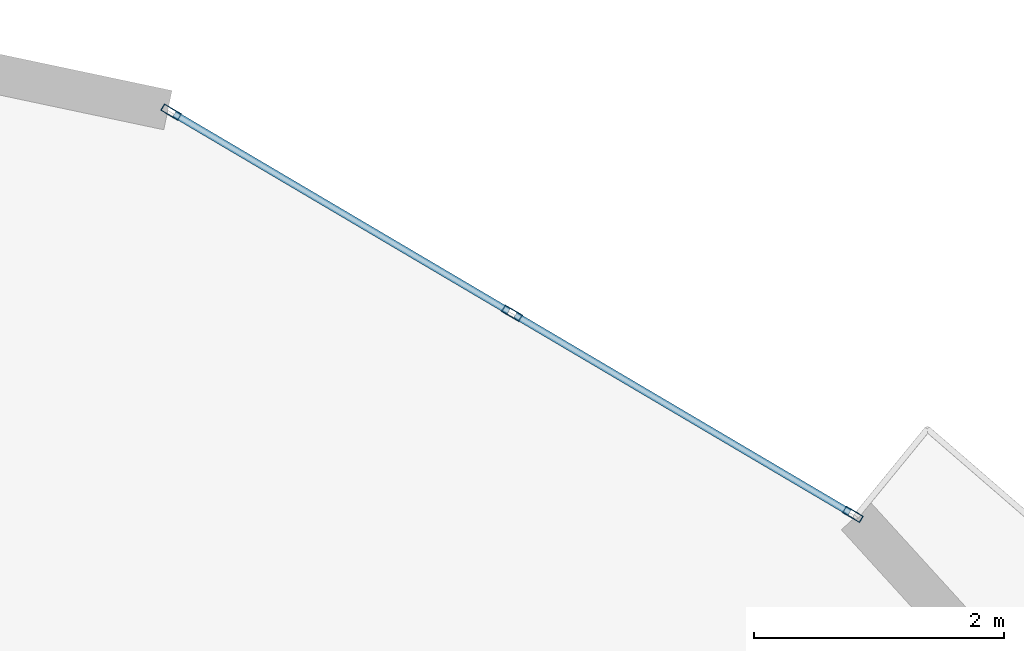
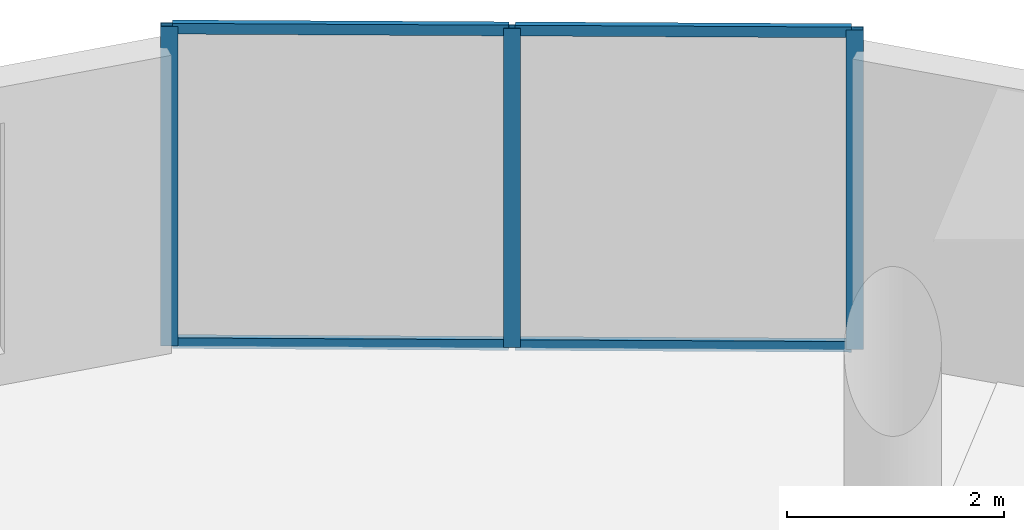
# One storey, part 15 of 21: 7 members, 1 element without a shape of its own.
"""IFC4 building model written with IfcOpenShell, lengths in metres."""

from ifc_helpers import new_model, si_unit, direction, frame, origin, origin_2d, place, context, subcontext, project, spatial, hollow_rectangle, extrude, source, transform, mapped, material, layer, layer_set, material_profile, profile_set, type_object, element, aggregate, save


model = new_model("IFC4")

# Units and contexts
model_context = context("Model", 3, precision=1e-05, world=origin(), true_north=direction((0.0, 1.0)))
body_context = subcontext(model_context, "Body", "Model", "MODEL_VIEW")
ifc_project = project(units=[si_unit("LENGTHUNIT", "METRE"), si_unit("AREAUNIT", "SQUARE_METRE"), si_unit("VOLUMEUNIT", "CUBIC_METRE"), si_unit("PLANEANGLEUNIT", "RADIAN"), si_unit("MASSUNIT", "GRAM", prefix="KILO")], contexts=[model_context])

# Site, building, storey
site_placement = place(None, origin())
site = spatial("IfcSite", under=ifc_project, at=site_placement, CompositionType="ELEMENT")
building_placement = place(site_placement, origin())
building = spatial("IfcBuilding", under=site, at=building_placement, Name="Solvirekh Grand Hotel", CompositionType="ELEMENT")
storey_placement = place(building_placement, frame((0.0, 0.0, 223.60009765625)))
storey = spatial("IfcBuildingStorey", under=building, at=storey_placement, Name="L58", CompositionType="ELEMENT", Elevation=223.60009765625)

# Curtain wall, members
ifc_material = material(Name="Anodized Bronze Aluminium 6063-T6", Category="aluminium")
ifc_layer = layer(ifc_material, 0.159912109375)
ifc_layer_set = layer_set([ifc_layer], Name="Anodized Bronze Aluminium 6063-T6")
curtain_wall_type = type_object("IfcCurtainWallType", Name="CW_Sys4_HighZoneFlushBronzeCW", PredefinedType="NOTDEFINED", material=ifc_layer_set)
curtain_wall_placement = place(storey_placement, origin())
curtain_wall = element("IfcCurtainWall", 1, at=curtain_wall_placement, inside=storey, type_object=curtain_wall_type, Name="L58 unitised bronze-glass curtain wall CW-L58-C08", PredefinedType="NOTDEFINED")
ifc_material_profile_1 = material_profile(ifc_material, hollow_rectangle(XDim=0.054931640625, YDim=0.1201171875, WallThickness=0.00390625, at=origin_2d()), Name="ALU RHS 120X55X4")
ifc_profile_set_1 = profile_set([ifc_material_profile_1], Name="Anodized Bronze Aluminium 6063-T6")
member_type_1 = type_object("IfcMemberType", Name="CWTransom_Sys4", PredefinedType="USERDEFINED", material=ifc_profile_set_1)
shared_shape_1 = source(origin(), body_context, "Body", "SweptSolid", [
    extrude(hollow_rectangle(XDim=0.054931640625, YDim=0.1201171875, WallThickness=0.00390625, at=origin_2d()), origin(), (0.0, 0.0, 1.0), 3.104736328125),
])
member_1_placement = place(storey_placement, frame((9.372314453125, 16.99853515625, 0.02734375), z_axis=(-0.86127854934, 0.508133112922, 0.0), x_axis=(-0.508133112922, -0.86127854934, 0.0)))
member_1 = element("IfcMember", 2, at=member_1_placement, type_object=member_type_1, Name="U04 transom 1.1", ObjectType="TRANSOM", PredefinedType="USERDEFINED", context=body_context, shape_type="MappedRepresentation", body=[
    mapped(shared_shape_1, transform((0.0, 0.0, 0.0), x_axis=(1.0, 0.0, 0.0), y_axis=(0.0, 1.0, 0.0), z_axis=(0.0, 0.0, 1.0), scale=1.0)),
])
member_2_placement = place(storey_placement, frame((9.372314453125, 16.99853515625, 3.572509765625), z_axis=(-0.86127854934, 0.508133112922, 0.0), x_axis=(-0.508133112922, -0.86127854934, 0.0)))
member_2 = element("IfcMember", 3, at=member_2_placement, type_object=member_type_1, Name="U04 transom 1.2", ObjectType="TRANSOM", PredefinedType="USERDEFINED", context=body_context, shape_type="MappedRepresentation", body=[
    mapped(shared_shape_1, transform((0.0, 0.0, 0.0), x_axis=(1.0, 0.0, 0.0), y_axis=(0.0, 1.0, 0.0), z_axis=(0.0, 0.0, 1.0), scale=1.0)),
])
ifc_material_profile_2 = material_profile(ifc_material, hollow_rectangle(XDim=0.06005859375, YDim=0.159912109375, WallThickness=0.0048828125, at=origin_2d()), Name="ALU RHS 160X60X5")
ifc_profile_set_2 = profile_set([ifc_material_profile_2], Name="Anodized Bronze Aluminium 6063-T6")
member_type_2 = type_object("IfcMemberType", Name="CWMullion_Sys4", PredefinedType="MULLION", material=ifc_profile_set_2)
shared_shape_2 = source(origin(), body_context, "Body", "SweptSolid", [
    extrude(hollow_rectangle(XDim=0.06005859375, YDim=0.159912109375, WallThickness=0.0048828125, at=origin_2d()), origin(), (0.0, 0.0, 1.0), 3.599853515625),
])
member_3_placement = place(storey_placement, frame((9.398193359375, 16.983154296875, 0.0), z_axis=(0.0, 0.0, 1.0), x_axis=(-0.508175563323, -0.861253503239, 0.0)))
member_3 = element("IfcMember", 4, at=member_3_placement, type_object=member_type_2, Name="U04 mullion 1", PredefinedType="MULLION", context=body_context, shape_type="MappedRepresentation", body=[
    mapped(shared_shape_2, transform((0.0, 0.0, 0.0), x_axis=(1.0, 0.0, 0.0), y_axis=(0.0, 1.0, 0.0), z_axis=(0.0, 0.0, 1.0), scale=1.0)),
])
member_4_placement = place(storey_placement, frame((6.672607421875, 18.591552734375, 0.0), z_axis=(0.0, 0.0, 1.0), x_axis=(-0.508175563323, -0.861253503239, 0.0)))
member_4 = element("IfcMember", 5, at=member_4_placement, type_object=member_type_2, Name="U04 mullion 2", PredefinedType="MULLION", context=body_context, shape_type="MappedRepresentation", body=[
    mapped(shared_shape_2, transform((0.0, 0.0, 0.0), x_axis=(1.0, 0.0, 0.0), y_axis=(0.0, 1.0, 0.0), z_axis=(0.0, 0.0, 1.0), scale=1.0)),
])
member_5_placement = place(storey_placement, frame((3.94677734375, 20.19970703125, 0.0), z_axis=(0.0, 0.0, 1.0), x_axis=(-0.508175563323, -0.861253503239, 0.0)))
member_5 = element("IfcMember", 6, at=member_5_placement, type_object=member_type_2, Name="U04 mullion 3", PredefinedType="MULLION", context=body_context, shape_type="MappedRepresentation", body=[
    mapped(shared_shape_2, transform((0.0, 0.0, 0.0), x_axis=(1.0, 0.0, 0.0), y_axis=(0.0, 1.0, 0.0), z_axis=(0.0, 0.0, 1.0), scale=1.0)),
])
shared_shape_3 = source(origin(), body_context, "Body", "SweptSolid", [
    extrude(hollow_rectangle(XDim=0.054931640625, YDim=0.1201171875, WallThickness=0.00390625, at=origin_2d()), origin(), (0.0, 0.0, 1.0), 3.10498046875),
])
member_6_placement = place(storey_placement, frame((6.646728515625, 18.606689453125, 0.02734375), z_axis=(-0.861244135016, 0.508191440209, 0.0), x_axis=(-0.508191440209, -0.861244135016, 0.0)))
member_6 = element("IfcMember", 7, at=member_6_placement, type_object=member_type_1, Name="U04 transom 2.1", ObjectType="TRANSOM", PredefinedType="USERDEFINED", context=body_context, shape_type="MappedRepresentation", body=[
    mapped(shared_shape_3, transform((0.0, 0.0, 0.0), x_axis=(1.0, 0.0, 0.0), y_axis=(0.0, 1.0, 0.0), z_axis=(0.0, 0.0, 1.0), scale=1.0)),
])
member_7_placement = place(storey_placement, frame((6.646728515625, 18.606689453125, 3.572509765625), z_axis=(-0.861244135016, 0.508191440209, 0.0), x_axis=(-0.508191440209, -0.861244135016, 0.0)))
member_7 = element("IfcMember", 8, at=member_7_placement, type_object=member_type_1, Name="U04 transom 2.2", ObjectType="TRANSOM", PredefinedType="USERDEFINED", context=body_context, shape_type="MappedRepresentation", body=[
    mapped(shared_shape_3, transform((0.0, 0.0, 0.0), x_axis=(1.0, 0.0, 0.0), y_axis=(0.0, 1.0, 0.0), z_axis=(0.0, 0.0, 1.0), scale=1.0)),
])
aggregate(curtain_wall, [member_3, member_4, member_5, member_1, member_2, member_6, member_7])

save(model, "model.ifc")
